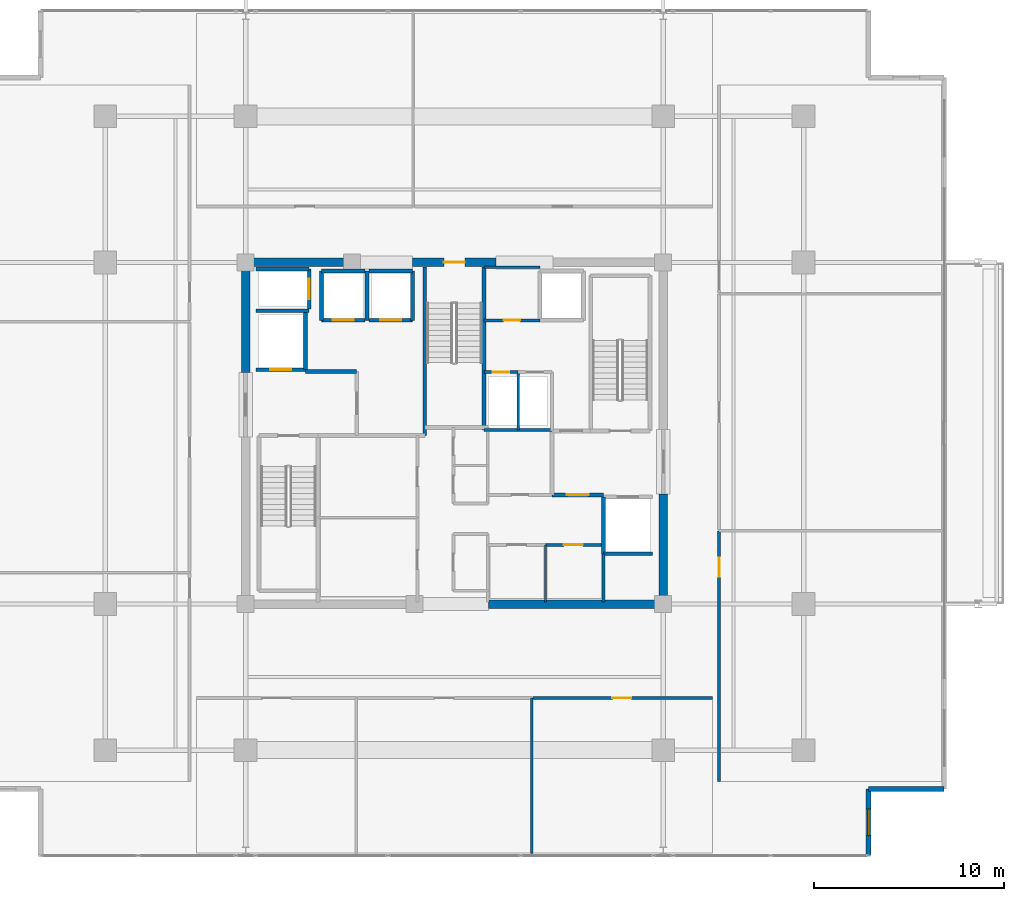
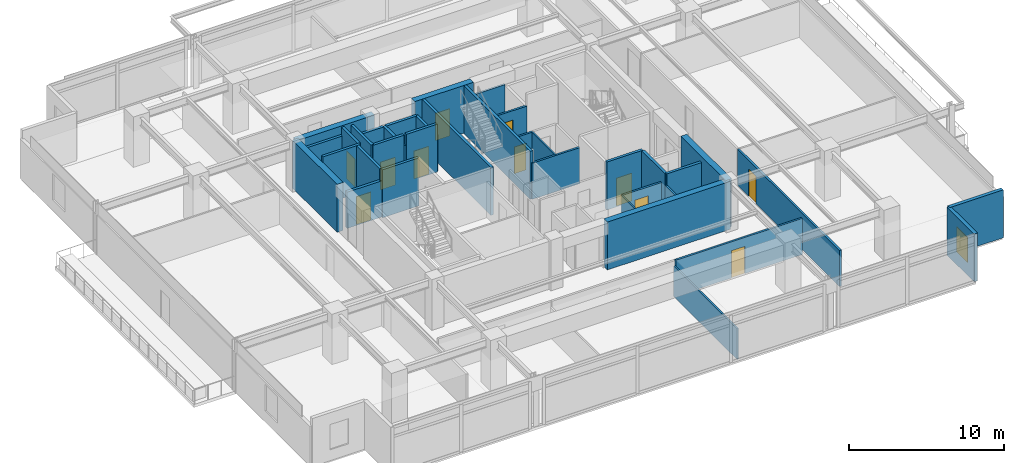
# One storey, part 14 of 20: 36 walls, 11 doors, 1 window, 12 openings.
"""IFC4 building model written with IfcOpenShell, lengths in metres."""

import ifcopenshell
import ifcopenshell.guid

model = None  # the IFC model being written
_history = None  # IfcOwnerHistory: only IFC2X3 demands one
_inside = {}  # id of a spatial element -> (the spatial element, [elements in it])
_under = {}  # id of a project, library or spatial element -> (it, [spatial elements below it])
_declared = {}  # id of a project -> (the project, [libraries it declares])
_typed = {}  # id of a type object -> (the type object, [elements of that type])
_made_of = {}  # id of a material, layer set ... -> (it, [elements and type objects made of it])


def new_model(schema):
    """Start an empty IFC model of exactly this schema.

    Asked for "IFC4X3", IfcOpenShell would pick the latest addendum, in which some entities
    have other attributes; the version numbers below select the first issue.
    IFC2X3 requires an IfcOwnerHistory on every rooted entity: one is made here for all.
    """
    global model, _history
    if schema == "IFC4X3":
        model = ifcopenshell.file(schema_version=(4, 3, 0, 0))
    else:
        model = ifcopenshell.file(schema=schema)
    _inside.clear()
    _under.clear()
    _declared.clear()
    _typed.clear()
    _made_of.clear()
    _history = None
    if model.schema == "IFC2X3":
        org = make("IfcOrganization", Name="unknown")
        user = make(
            "IfcPersonAndOrganization",
            ThePerson=make("IfcPerson", FamilyName="unknown"),
            TheOrganization=org,
        )
        app = make(
            "IfcApplication",
            ApplicationDeveloper=org,
            Version="unknown",
            ApplicationFullName="unknown",
            ApplicationIdentifier="unknown",
        )
        _history = make(
            "IfcOwnerHistory",
            OwningUser=user,
            OwningApplication=app,
            ChangeAction="ADDED",
            CreationDate=0,
        )
    return model


def make(cls, **values):
    """One entity of the class cls with the attributes given. An attribute that is None is left unset."""
    return model.create_entity(
        cls, **{name: value for name, value in values.items() if value is not None}
    )


def rooted(cls, **values):
    """An entity with a GlobalId (a new one), such as an element, a storey or a relation."""
    return make(cls, GlobalId=ifcopenshell.guid.new(), OwnerHistory=_history, **values)


def si_unit(unit_type, name, prefix=None):
    """IfcSIUnit, for example si_unit("LENGTHUNIT", "METRE", prefix="MILLI")."""
    return make("IfcSIUnit", UnitType=unit_type, Prefix=prefix, Name=name)


def assignment(units):
    """IfcUnitAssignment: the units of a project."""
    return None if units is None else make("IfcUnitAssignment", Units=units)


def point(xyz):
    """IfcCartesianPoint."""
    return None if xyz is None else make("IfcCartesianPoint", Coordinates=xyz)


def direction(xyz):
    """IfcDirection."""
    return None if xyz is None else make("IfcDirection", DirectionRatios=xyz)


def frame(location, z_axis=None, x_axis=None):
    """IfcAxis2Placement3D, a coordinate frame: its origin and axes. An axis left out is left unset."""
    return make(
        "IfcAxis2Placement3D",
        Location=point(location),
        Axis=direction(z_axis),
        RefDirection=direction(x_axis),
    )


def frame_2d(location, x_axis=None):
    """IfcAxis2Placement2D, a coordinate frame in the plane: its origin and x axis."""
    return make(
        "IfcAxis2Placement2D", Location=point(location), RefDirection=direction(x_axis)
    )


def origin():
    """The frame at (0, 0, 0) with its axes left unset."""
    return frame((0.0, 0.0, 0.0))


def place(relative_to, where):
    """IfcLocalPlacement: puts the frame where relative to a parent placement (None: the world)."""
    return make(
        "IfcLocalPlacement", PlacementRelTo=relative_to, RelativePlacement=where
    )


def context(
    kind, dimensions, precision=None, world=None, true_north=None, identifier=None
):
    """IfcGeometricRepresentationContext, for example the 3D "Model" context."""
    return make(
        "IfcGeometricRepresentationContext",
        ContextIdentifier=identifier,
        ContextType=kind,
        CoordinateSpaceDimension=dimensions,
        Precision=precision,
        WorldCoordinateSystem=world,
        TrueNorth=true_north,
    )


def subcontext(parent, identifier, kind, view, scale=None):
    """IfcGeometricRepresentationSubContext, for example "Body" below "Model"."""
    return make(
        "IfcGeometricRepresentationSubContext",
        ContextIdentifier=identifier,
        ContextType=kind,
        ParentContext=parent,
        TargetScale=scale,
        TargetView=view,
    )


def project(units=None, contexts=None):
    """IfcProject with its units and contexts."""
    return rooted(
        "IfcProject",
        Name="project",
        RepresentationContexts=contexts,
        UnitsInContext=assignment(units),
    )


def spatial(cls, under=None, at=None, **own):
    """A site, building, storey or space (cls), placed at a placement, below another one or the project."""
    s = rooted(cls, ObjectPlacement=at, **own)
    if under is not None:
        _under.setdefault(under.id(), (under, []))[1].append(s)
    return s


def profile(cls, at=None, kind="AREA", **sizes):
    """A parametric profile (cls). Its sizes go by their IFC names, for example OverallWidth=200.0."""
    return make(cls, ProfileType=kind, Position=at, **sizes)


def rectangle(**sizes):
    """IfcRectangleProfileDef."""
    return profile("IfcRectangleProfileDef", **sizes)


def extrude(swept, where, along, depth):
    """IfcExtrudedAreaSolid: the profile swept, set in the frame where, extruded along a direction by depth."""
    return make(
        "IfcExtrudedAreaSolid",
        SweptArea=swept,
        Position=where,
        ExtrudedDirection=direction(along),
        Depth=depth,
    )


def shape(context_of_items, identifier, shape_type, items):
    """IfcShapeRepresentation: the items that make up one representation, for example the "Body"."""
    return make(
        "IfcShapeRepresentation",
        ContextOfItems=context_of_items,
        RepresentationIdentifier=identifier,
        RepresentationType=shape_type,
        Items=items,
    )


def material(Name=None, Category=None):
    """IfcMaterial."""
    return make("IfcMaterial", Name=Name, Category=Category)


def layer(
    of_material, thickness, ventilated=None, Name=None, Category=None, Priority=None
):
    """IfcMaterialLayer: one layer of a wall or slab, of a material (None: an air gap)."""
    return make(
        "IfcMaterialLayer",
        Material=of_material,
        LayerThickness=thickness,
        IsVentilated=ventilated,
        Name=Name,
        Category=Category,
        Priority=Priority,
    )


def layer_set(layers, Name=None):
    """IfcMaterialLayerSet."""
    return make("IfcMaterialLayerSet", MaterialLayers=layers, LayerSetName=Name)


def made_of(thing, what):
    """Note that an element or type object is made of a material, layer set ...; save() writes the relation."""
    if what is not None:
        _made_of.setdefault(what.id(), (what, []))[1].append(thing)
    return thing


def type_object(cls, material=None, **own):
    """A type object (cls), such as IfcWallType, which elements share."""
    return made_of(rooted(cls, **own), material)


def element(
    cls,
    number,
    at=None,
    inside=None,
    cuts=None,
    type_object=None,
    material=None,
    context=None,
    identifier="Body",
    shape_type=None,
    held_by="IfcProductDefinitionShape",
    body=None,
    shapes=None,
    **own,
):
    """One element of the class cls, such as IfcWall. Its Tag is "e" and its number.

    at: its placement. inside: the storey or other place that contains it. cuts: it is an
    opening in that element (IfcRelVoidsElement). A single representation is given by context,
    identifier, shape_type and body (its items); several are given by shapes. held_by: the class
    of the entity that holds the representations. save() writes the other relations.
    """
    e = rooted(cls, Tag="e%d" % number, ObjectPlacement=at, **own)
    if body is not None:
        shapes = [shape(context, identifier, shape_type, body)]
    if shapes is not None:
        e.Representation = make(held_by, Representations=shapes)
    if inside is not None:
        _inside.setdefault(inside.id(), (inside, []))[1].append(e)
    if cuts is not None:
        rooted(
            "IfcRelVoidsElement", RelatingBuildingElement=cuts, RelatedOpeningElement=e
        )
    if type_object is not None:
        _typed.setdefault(type_object.id(), (type_object, []))[1].append(e)
    return made_of(e, material)


def fill(opening, filler):
    """IfcRelFillsElement: the door or window that sits in an opening."""
    return rooted(
        "IfcRelFillsElement",
        RelatingOpeningElement=opening,
        RelatedBuildingElement=filler,
    )


def aggregate(whole, parts):
    """IfcRelAggregates: a whole, such as a stair, and the parts it consists of."""
    return rooted("IfcRelAggregates", RelatingObject=whole, RelatedObjects=parts)


def save(model, path):
    """Write the relations noted so far, then the file.

    IfcRelAggregates (storeys below a building ...), IfcRelContainedInSpatialStructure (elements
    in a storey), IfcRelDefinesByType, IfcRelAssociatesMaterial and IfcRelDeclares: one each for
    every whole, place, type object, material and project.
    """
    for whole, parts in _under.values():
        aggregate(whole, parts)
    for where, things in _inside.values():
        rooted(
            "IfcRelContainedInSpatialStructure",
            RelatedElements=things,
            RelatingStructure=where,
        )
    for kind, things in _typed.values():
        rooted("IfcRelDefinesByType", RelatedObjects=things, RelatingType=kind)
    for what, things in _made_of.values():
        rooted("IfcRelAssociatesMaterial", RelatedObjects=things, RelatingMaterial=what)
    for by, libraries in _declared.values():
        rooted("IfcRelDeclares", RelatingContext=by, RelatedDefinitions=libraries)
    model.write(path)


model = new_model("IFC4")

# Units and contexts
model_context = context("Model", 3, precision=1e-05, world=origin(), true_north=direction((0.0, 1.0)))
body_context = subcontext(model_context, "Body", "Model", "MODEL_VIEW")
ifc_project = project(units=[si_unit("LENGTHUNIT", "METRE"), si_unit("AREAUNIT", "SQUARE_METRE"), si_unit("VOLUMEUNIT", "CUBIC_METRE"), si_unit("PLANEANGLEUNIT", "RADIAN"), si_unit("MASSUNIT", "GRAM", prefix="KILO")], contexts=[model_context])

# Site, building, storey
site_placement = place(None, origin())
site = spatial("IfcSite", under=ifc_project, at=site_placement, CompositionType="ELEMENT")
building_placement = place(site_placement, origin())
building = spatial("IfcBuilding", under=site, at=building_placement, Name="Kovane Verandah Tower", CompositionType="ELEMENT")
storey_placement = place(building_placement, frame((0.0, 0.0, 279.199951171875)))
storey = spatial("IfcBuildingStorey", under=building, at=storey_placement, Name="L65", CompositionType="ELEMENT", Elevation=279.199951171875)

# Walls
ifc_material_1 = material(Name="Fire-Rated Gypsum Stud Partition", Category="gypsum")
ifc_layer_1 = layer(ifc_material_1, 0.14990234375)
ifc_layer_set_1 = layer_set([ifc_layer_1], Name="Fire-Rated Gypsum Stud Partition")
wall_type_1 = type_object("IfcWallType", Name="WL-COR-150", PredefinedType="PARTITIONING", material=ifc_layer_set_1)
wall_1_placement = place(storey_placement, frame((41.56005859375, 27.679931640625, 0.0), z_axis=(0.0, 0.0, 1.0), x_axis=(1.0, 0.0, 0.0)))
element("IfcWall", 1, at=wall_1_placement, inside=storey, type_object=wall_type_1, Name="L65 East Core Service Riser South Wall", PredefinedType="PARTITIONING", context=body_context, shape_type="SweptSolid", body=[
    extrude(rectangle(XDim=3.58984375, YDim=0.14990234375, at=frame_2d((1.794921875, 0.0))), origin(), (0.0, 0.0, 1.0), 2.85009765625),
])
wall_2_placement = place(storey_placement, frame((47.85009765625, 18.60009765625, 0.0), z_axis=(0.0, 0.0, 1.0), x_axis=(0.0, 1.0, 0.0)))
element("IfcWall", 2, at=wall_2_placement, inside=storey, type_object=wall_type_1, Name="L65 East Core Support East Wall", PredefinedType="PARTITIONING", context=body_context, shape_type="SweptSolid", body=[
    extrude(rectangle(XDim=2.539794921875, YDim=0.14990234375, at=frame_2d((1.27001953125, 0.0))), origin(), (0.0, 0.0, 1.0), 2.85009765625),
])

# Wall, opening, door
wall_3_placement = place(storey_placement, frame((44.800048828125, 21.6201171875, 0.0), z_axis=(0.0, 0.0, 1.0), x_axis=(1.0, 0.0, 0.0)))
wall_3 = element("IfcWall", 3, at=wall_3_placement, inside=storey, type_object=wall_type_1, Name="L65 East IT Server Room Partition", PredefinedType="PARTITIONING", context=body_context, shape_type="SweptSolid", body=[
    extrude(rectangle(XDim=2.93994140625, YDim=0.14990234375, at=frame_2d((1.469970703125, 0.0))), origin(), (0.0, 0.0, 1.0), 2.85009765625),
])
opening_1_placement = place(wall_3_placement, frame((0.969970703125, 0.0, 0.0)))
opening_1 = element("IfcOpeningElement", 4, at=opening_1_placement, cuts=wall_3, Name="Opening DR-L65-017", PredefinedType="OPENING", context=body_context, shape_type="SweptSolid", body=[
    extrude(rectangle(XDim=1.0, YDim=2.14990234375, at=frame_2d((0.5, 1.074951171875))), frame((0.0, 0.074951171875, 0.0), z_axis=(0.0, -1.0, 0.0), x_axis=(1.0, 0.0, 0.0)), (0.0, 0.0, 1.0), 0.14990234375),
])
ifc_material_2 = material(Name="FSC Spotted-Gum Timber Fire-Rated Office Door", Category="wood")
door_type_1 = type_object("IfcDoorType", Name="DR-OFF-1000", OperationType="SINGLE_SWING_LEFT", PredefinedType="DOOR", material=ifc_material_2)
door_1_placement = place(opening_1_placement, origin())
door_1 = element("IfcDoor", 5, at=door_1_placement, inside=storey, type_object=door_type_1, Name="L65 East IT Server Room Door", OperationType="SINGLE_SWING_RIGHT", OverallHeight=2.14990234375, OverallWidth=1.0, PredefinedType="DOOR", context=body_context, shape_type="SweptSolid", body=[
    extrude(rectangle(XDim=1.0, YDim=2.14990234375, at=frame_2d((0.5, 1.074951171875))), frame((0.0, 0.02490234375, 0.0), z_axis=(0.0, -1.0, 0.0), x_axis=(1.0, 0.0, 0.0)), (0.0, 0.0, 1.0), 0.050048828125),
])
fill(opening_1, door_1)

wall_4_placement = place(storey_placement, frame((41.56005859375, 30.719970703125, 0.0), z_axis=(0.0, 0.0, 1.0), x_axis=(1.0, 0.0, 0.0)))
wall_4 = element("IfcWall", 6, at=wall_4_placement, inside=storey, type_object=wall_type_1, Name="L65 Chilled Water Riser Room Partition", PredefinedType="PARTITIONING", context=body_context, shape_type="SweptSolid", body=[
    extrude(rectangle(XDim=1.800048828125, YDim=0.14990234375, at=frame_2d((0.89990234375, 0.0))), origin(), (0.0, 0.0, 1.0), 2.85009765625),
])
opening_2_placement = place(wall_4_placement, frame((0.4599609375, 0.0, 0.0)))
opening_2 = element("IfcOpeningElement", 7, at=opening_2_placement, cuts=wall_4, Name="Opening DR-L65-020", PredefinedType="OPENING", context=body_context, shape_type="SweptSolid", body=[
    extrude(rectangle(XDim=0.8798828125, YDim=2.10009765625, at=frame_2d((0.43994140625, 1.050048828125))), frame((0.0, 0.074951171875, 0.0), z_axis=(0.0, -1.0, 0.0), x_axis=(1.0, 0.0, 0.0)), (0.0, 0.0, 1.0), 0.14990234375),
])
ifc_material_3 = material(Name="Fire-Rated Steel Riser Access Door", Category="steel")
door_type_2 = type_object("IfcDoorType", Name="DR-RISER-880", OperationType="SINGLE_SWING_LEFT", PredefinedType="DOOR", material=ifc_material_3)
door_2_placement = place(opening_2_placement, origin())
door_2 = element("IfcDoor", 8, at=door_2_placement, inside=storey, type_object=door_type_2, Name="L65 Chilled Water Riser Room Door", OperationType="SINGLE_SWING_RIGHT", OverallHeight=2.10009765625, OverallWidth=0.8798828125, PredefinedType="DOOR", context=body_context, shape_type="SweptSolid", body=[
    extrude(rectangle(XDim=0.8798828125, YDim=2.10009765625, at=frame_2d((0.43994140625, 1.050048828125))), frame((0.0, 0.02490234375, 0.0), z_axis=(0.0, -1.0, 0.0), x_axis=(1.0, 0.0, 0.0)), (0.0, 0.0, 1.0), 0.050048828125),
])
fill(opening_2, door_2)

# Wall
wall_5_placement = place(storey_placement, frame((41.56005859375, 36.25, 0.0), z_axis=(0.0, 0.0, 1.0), x_axis=(1.0, 0.0, 0.0)))
element("IfcWall", 9, at=wall_5_placement, inside=storey, type_object=wall_type_1, Name="L65 Sky Telecom Riser North Wall", PredefinedType="PARTITIONING", context=body_context, shape_type="SweptSolid", body=[
    extrude(rectangle(XDim=2.93994140625, YDim=0.14990234375, at=frame_2d((1.469970703125, 0.0))), origin(), (0.0, 0.0, 1.0), 2.85009765625),
])

# Wall, opening, door
wall_6_placement = place(storey_placement, frame((41.56005859375, 33.449951171875, 0.0), z_axis=(0.0, 0.0, 1.0), x_axis=(1.0, 0.0, 0.0)))
wall_6 = element("IfcWall", 10, at=wall_6_placement, inside=storey, type_object=wall_type_1, Name="L65 Sky Telecom Riser Room Partition", PredefinedType="PARTITIONING", context=body_context, shape_type="SweptSolid", body=[
    extrude(rectangle(XDim=2.93994140625, YDim=0.14990234375, at=frame_2d((1.469970703125, 0.0))), origin(), (0.0, 0.0, 1.0), 2.85009765625),
])
opening_3_placement = place(wall_6_placement, frame((1.030029296875, 0.0, 0.0)))
opening_3 = element("IfcOpeningElement", 11, at=opening_3_placement, cuts=wall_6, Name="Opening DR-L65-019", PredefinedType="OPENING", context=body_context, shape_type="SweptSolid", body=[
    extrude(rectangle(XDim=0.8798828125, YDim=2.10009765625, at=frame_2d((0.43994140625, 1.050048828125))), frame((0.0, 0.074951171875, 0.0), z_axis=(0.0, -1.0, 0.0), x_axis=(1.0, 0.0, 0.0)), (0.0, 0.0, 1.0), 0.14990234375),
])
door_3_placement = place(opening_3_placement, origin())
door_3 = element("IfcDoor", 12, at=door_3_placement, inside=storey, type_object=door_type_2, Name="L65 Sky Telecom Riser Room Door", OperationType="SINGLE_SWING_RIGHT", OverallHeight=2.10009765625, OverallWidth=0.8798828125, PredefinedType="DOOR", context=body_context, shape_type="SweptSolid", body=[
    extrude(rectangle(XDim=0.8798828125, YDim=2.10009765625, at=frame_2d((0.43994140625, 1.050048828125))), frame((0.0, 0.02490234375, 0.0), z_axis=(0.0, -1.0, 0.0), x_axis=(1.0, 0.0, 0.0)), (0.0, 0.0, 1.0), 0.050048828125),
])
fill(opening_3, door_3)

wall_7_placement = place(storey_placement, frame((44.14990234375, 13.550048828125, 0.0), z_axis=(0.0, 0.0, 1.0), x_axis=(1.0, 0.0, 0.0)))
wall_7 = element("IfcWall", 13, at=wall_7_placement, inside=storey, type_object=wall_type_1, Name="L65 Focus Studio S3 Corridor Partition", PredefinedType="PARTITIONING", context=body_context, shape_type="SweptSolid", body=[
    extrude(rectangle(XDim=9.4501953125, YDim=0.14990234375, at=frame_2d((4.72509765625, 0.0))), origin(), (0.0, 0.0, 1.0), 2.85009765625),
])
opening_4_placement = place(wall_7_placement, frame((4.175048828125, 0.0, 0.0)))
opening_4 = element("IfcOpeningElement", 14, at=opening_4_placement, cuts=wall_7, Name="Opening DR-L65-026", PredefinedType="OPENING", context=body_context, shape_type="SweptSolid", body=[
    extrude(rectangle(XDim=1.0, YDim=2.14990234375, at=frame_2d((0.5, 1.074951171875))), frame((0.0, 0.074951171875, 0.0), z_axis=(0.0, -1.0, 0.0), x_axis=(1.0, 0.0, 0.0)), (0.0, 0.0, 1.0), 0.14990234375),
])
door_4_placement = place(opening_4_placement, origin())
door_4 = element("IfcDoor", 15, at=door_4_placement, inside=storey, type_object=door_type_1, Name="L65 Focus Studio S3 Entrance Door", OperationType="SINGLE_SWING_LEFT", OverallHeight=2.14990234375, OverallWidth=1.0, PredefinedType="DOOR", context=body_context, shape_type="SweptSolid", body=[
    extrude(rectangle(XDim=1.0, YDim=2.14990234375, at=frame_2d((0.5, 1.074951171875))), frame((0.0, 0.02490234375, 0.0), z_axis=(0.0, -1.0, 0.0), x_axis=(1.0, 0.0, 0.0)), (0.0, 0.0, 1.0), 0.050048828125),
])
fill(opening_4, door_4)

wall_8_placement = place(storey_placement, frame((53.949951171875, 9.143798828125, 0.0), z_axis=(0.0, 0.0, 1.0), x_axis=(0.0, 1.0, 0.0)))
wall_8 = element("IfcWall", 16, at=wall_8_placement, inside=storey, type_object=wall_type_1, Name="L65 Open Plan Office E1 Corridor Partition", PredefinedType="PARTITIONING", context=body_context, shape_type="SweptSolid", body=[
    extrude(rectangle(XDim=13.21630859375, YDim=0.14990234375, at=frame_2d((6.608154296875, 0.0))), origin(), (0.0, 0.0, 1.0), 2.85009765625),
])
opening_5_placement = place(wall_8_placement, frame((10.801513671875, 0.0, 0.0)))
opening_5 = element("IfcOpeningElement", 17, at=opening_5_placement, cuts=wall_8, Name="Opening DR-L65-011", PredefinedType="OPENING", context=body_context, shape_type="SweptSolid", body=[
    extrude(rectangle(XDim=1.0, YDim=2.14990234375, at=frame_2d((0.5, 1.074951171875))), frame((0.0, 0.074951171875, 0.0), z_axis=(0.0, -1.0, 0.0), x_axis=(1.0, 0.0, 0.0)), (0.0, 0.0, 1.0), 0.14990234375),
])
door_5_placement = place(opening_5_placement, origin())
door_5 = element("IfcDoor", 18, at=door_5_placement, inside=storey, type_object=door_type_1, Name="L65 Open Plan Office E1 Entrance Door", OperationType="SINGLE_SWING_LEFT", OverallHeight=2.14990234375, OverallWidth=1.0, PredefinedType="DOOR", context=body_context, shape_type="SweptSolid", body=[
    extrude(rectangle(XDim=1.0, YDim=2.14990234375, at=frame_2d((0.5, 1.074951171875))), frame((0.0, 0.02490234375, 0.0), z_axis=(0.0, -1.0, 0.0), x_axis=(1.0, 0.0, 0.0)), (0.0, 0.0, 1.0), 0.050048828125),
])
fill(opening_5, door_5)

# Walls
ifc_material_4 = material(Name="Concrete C60/75", Category="concrete")
ifc_layer_2 = layer(ifc_material_4, 0.449951171875)
ifc_layer_set_2 = layer_set([ifc_layer_2], Name="Concrete C60/75")
wall_type_2 = type_object("IfcWallType", Name="WL-CORE-450", PredefinedType="SHEAR", material=ifc_layer_set_2)
wall_9_placement = place(storey_placement, frame((41.800048828125, 18.5, 0.0), z_axis=(0.0, 0.0, 1.0), x_axis=(1.0, 0.0, 0.0)))
element("IfcWall", 19, at=wall_9_placement, inside=storey, type_object=wall_type_2, Name="L65 Core Shear Wall CS-2", PredefinedType="SHEAR", context=body_context, shape_type="SweptSolid", body=[
    extrude(rectangle(XDim=9.199951171875, YDim=0.449951171875, at=frame_2d((4.60009765625, 0.0))), origin(), (0.0, 0.0, 1.0), 3.78515625),
])
wall_10_placement = place(storey_placement, frame((29.0, 36.5, 0.0), z_axis=(0.0, 0.0, 1.0), x_axis=(1.0, 0.0, 0.0)))
element("IfcWall", 20, at=wall_10_placement, inside=storey, type_object=wall_type_2, Name="L65 Core Shear Wall CN-1", PredefinedType="SHEAR", context=body_context, shape_type="SweptSolid", body=[
    extrude(rectangle(XDim=5.800048828125, YDim=0.449951171875, at=frame_2d((2.89990234375, 0.0))), origin(), (0.0, 0.0, 1.0), 3.78515625),
])

# Wall, opening, door
wall_11_placement = place(storey_placement, frame((37.800048828125, 36.5, 0.0), z_axis=(0.0, 0.0, 1.0), x_axis=(1.0, 0.0, 0.0)))
wall_11 = element("IfcWall", 21, at=wall_11_placement, inside=storey, type_object=wall_type_2, Name="L65 Core Shear Wall CN-2", PredefinedType="SHEAR", context=body_context, shape_type="SweptSolid", body=[
    extrude(rectangle(XDim=4.39990234375, YDim=0.449951171875, at=frame_2d((2.199951171875, 0.0))), origin(), (0.0, 0.0, 1.0), 3.78515625),
])
opening_6_placement = place(wall_11_placement, frame((1.64990234375, 0.0, 0.0)))
opening_6 = element("IfcOpeningElement", 22, at=opening_6_placement, cuts=wall_11, Name="Opening DR-L65-010", PredefinedType="OPENING", context=body_context, shape_type="SweptSolid", body=[
    extrude(rectangle(XDim=1.10009765625, YDim=2.14990234375, at=frame_2d((0.550048828125, 1.074951171875))), frame((0.0, 0.22509765625, 0.0), z_axis=(0.0, -1.0, 0.0), x_axis=(1.0, 0.0, 0.0)), (0.0, 0.0, 1.0), 0.449951171875),
])
ifc_material_5 = material(Name="Fire-Rated Steel Exit Door", Category="steel")
door_type_3 = type_object("IfcDoorType", Name="DR-STAIR-1100", OperationType="SINGLE_SWING_LEFT", PredefinedType="DOOR", material=ifc_material_5)
door_6_placement = place(opening_6_placement, origin())
door_6 = element("IfcDoor", 23, at=door_6_placement, inside=storey, type_object=door_type_3, Name="L65 ST-03 Fire Exit Stair Door", OperationType="SINGLE_SWING_LEFT", OverallHeight=2.14990234375, OverallWidth=1.10009765625, PredefinedType="DOOR", context=body_context, shape_type="SweptSolid", body=[
    extrude(rectangle(XDim=1.10009765625, YDim=2.14990234375, at=frame_2d((0.550048828125, 1.074951171875))), frame((0.0, 0.02490234375, 0.0), z_axis=(0.0, -1.0, 0.0), x_axis=(1.0, 0.0, 0.0)), (0.0, 0.0, 1.0), 0.050048828125),
])
fill(opening_6, door_6)

# Walls
for number, where, z_axis, x_axis, name in (
    (24, (29.0, 30.699951171875, 0.0), (0.0, 0.0, 1.0), (0.0, 1.0, 0.0), "L65 Core Shear Wall CW-2"),
    (25, (51.0, 18.5, 0.0), (0.0, 0.0, 1.0), (0.0, 1.0, 0.0), "L65 Core Shear Wall CE-1"),
):
    element("IfcWall", number, at=place(storey_placement, frame(where, z_axis=z_axis, x_axis=x_axis)), inside=storey, type_object=wall_type_2, Name=name, PredefinedType="SHEAR", context=body_context, shape_type="SweptSolid", body=[
        extrude(rectangle(XDim=5.800048828125, YDim=0.449951171875, at=frame_2d((2.89990234375, 0.0))), origin(), (0.0, 0.0, 1.0), 3.78515625),
    ])
ifc_material_6 = material(Name="Concrete C45/55 Fire Wall", Category="concrete")
ifc_layer_3 = layer(ifc_material_6, 0.199951171875)
ifc_layer_set_3 = layer_set([ifc_layer_3], Name="Concrete C45/55 Fire Wall")
wall_type_3 = type_object("IfcWallType", Name="WL-FFL-200", PredefinedType="PARTITIONING", material=ifc_layer_set_3)
wall_12_placement = place(storey_placement, frame((32.14990234375, 30.75, 0.0), z_axis=(0.0, 0.0, 1.0), x_axis=(1.0, 0.0, 0.0)))
element("IfcWall", 26, at=wall_12_placement, inside=storey, type_object=wall_type_3, Name="L65 West Firefighting Lobby North Fire Wall", PredefinedType="PARTITIONING", context=body_context, shape_type="SweptSolid", body=[
    extrude(rectangle(XDim=2.7001953125, YDim=0.199951171875, at=frame_2d((1.35009765625, 0.0))), origin(), (0.0, 0.0, 1.0), 3.78515625),
])

# Wall, opening, door
wall_13_placement = place(storey_placement, frame((45.14990234375, 24.25, 0.0), z_axis=(0.0, 0.0, 1.0), x_axis=(1.0, 0.0, 0.0)))
wall_13 = element("IfcWall", 27, at=wall_13_placement, inside=storey, type_object=wall_type_3, Name="W-L65-FFLE-S", PredefinedType="PARTITIONING", context=body_context, shape_type="SweptSolid", body=[
    extrude(rectangle(XDim=2.7001953125, YDim=0.199951171875, at=frame_2d((1.35009765625, 0.0))), origin(), (0.0, 0.0, 1.0), 3.78515625),
])
opening_7_placement = place(wall_13_placement, frame((0.77490234375, 0.0, 0.0)))
opening_7 = element("IfcOpeningElement", 28, at=opening_7_placement, cuts=wall_13, Name="Opening DR-L65-003", PredefinedType="OPENING", context=body_context, shape_type="SweptSolid", body=[
    extrude(rectangle(XDim=1.14990234375, YDim=2.199951171875, at=frame_2d((0.574951171875, 1.10009765625))), frame((0.0, 0.10009765625, 0.0), z_axis=(0.0, -1.0, 0.0), x_axis=(1.0, 0.0, 0.0)), (0.0, 0.0, 1.0), 0.199951171875),
])
ifc_material_7 = material(Name="Smoke-Sealed Firefighting Lobby Door", Category="steel")
door_type_4 = type_object("IfcDoorType", Name="DR-FFL-1150", OperationType="SINGLE_SWING_LEFT", PredefinedType="DOOR", material=ifc_material_7)
door_7_placement = place(opening_7_placement, origin())
door_7 = element("IfcDoor", 29, at=door_7_placement, inside=storey, type_object=door_type_4, Name="L65 East Firefighting Lobby Inner Door", OperationType="SINGLE_SWING_RIGHT", OverallHeight=2.199951171875, OverallWidth=1.14990234375, PredefinedType="DOOR", context=body_context, shape_type="SweptSolid", body=[
    extrude(rectangle(XDim=1.14990234375, YDim=2.199951171875, at=frame_2d((0.574951171875, 1.10009765625))), frame((0.0, 0.02490234375, 0.0), z_axis=(0.0, -1.0, 0.0), x_axis=(1.0, 0.0, 0.0)), (0.0, 0.0, 1.0), 0.050048828125),
])
fill(opening_7, door_7)

ifc_material_8 = material(Name="Concrete C45/55 Lift Shaft Wall", Category="concrete")
ifc_layer_4 = layer(ifc_material_8, 0.199951171875)
ifc_layer_set_4 = layer_set([ifc_layer_4], Name="Concrete C45/55 Lift Shaft Wall")
wall_type_4 = type_object("IfcWallType", Name="WL-LIFT-200", PredefinedType="SOLIDWALL", material=ifc_layer_set_4)
wall_14_placement = place(storey_placement, frame((29.550048828125, 30.85009765625, 0.0), z_axis=(0.0, 0.0, 1.0), x_axis=(1.0, 0.0, 0.0)))
wall_14 = element("IfcWall", 30, at=wall_14_placement, inside=storey, type_object=wall_type_4, Name="L65 Lift FL-01 S Shaft Wall", PredefinedType="SOLIDWALL", context=body_context, shape_type="SweptSolid", body=[
    extrude(rectangle(XDim=2.599853515625, YDim=0.199951171875, at=frame_2d((1.2998046875, 0.0))), origin(), (0.0, 0.0, 1.0), 2.864990234375),
])
opening_8_placement = place(wall_14_placement, frame((0.75, 0.0, 0.0)))
opening_8 = element("IfcOpeningElement", 31, at=opening_8_placement, cuts=wall_14, Name="Opening LD-L65-001", PredefinedType="OPENING", context=body_context, shape_type="SweptSolid", body=[
    extrude(rectangle(XDim=1.10009765625, YDim=2.199951171875, at=frame_2d((0.550048828125, 1.10009765625))), frame((0.0, 0.10009765625, 0.0), z_axis=(0.0, -1.0, 0.0), x_axis=(1.0, 0.0, 0.0)), (0.0, 0.0, 1.0), 0.199951171875),
])
ifc_material_9 = material(Name="Brushed Stainless Steel Sliding Lift Landing Door", Category="steel")
door_type_5 = type_object("IfcDoorType", Name="DR-LIFT-1100", OperationType="SLIDING_TO_RIGHT", PredefinedType="DOOR", material=ifc_material_9)
door_8_placement = place(opening_8_placement, origin())
door_8 = element("IfcDoor", 32, at=door_8_placement, inside=storey, type_object=door_type_5, Name="L65 Lift FL-01 Sliding Landing Door", OperationType="SLIDING_TO_RIGHT", OverallHeight=2.199951171875, OverallWidth=1.10009765625, PredefinedType="DOOR", context=body_context, shape_type="SweptSolid", body=[
    extrude(rectangle(XDim=1.10009765625, YDim=2.199951171875, at=frame_2d((0.550048828125, 1.10009765625))), frame((0.0, 0.02490234375, 0.0), z_axis=(0.0, -1.0, 0.0), x_axis=(1.0, 0.0, 0.0)), (0.0, 0.0, 1.0), 0.050048828125),
])
fill(opening_8, door_8)

# Walls
wall_15_placement = place(storey_placement, frame((29.550048828125, 33.949951171875, 0.0), z_axis=(0.0, 0.0, 1.0), x_axis=(1.0, 0.0, 0.0)))
element("IfcWall", 33, at=wall_15_placement, inside=storey, type_object=wall_type_4, Name="L65 Lift FL-01 and GL-01 Shared Shaft Wall", PredefinedType="SOLIDWALL", context=body_context, shape_type="SweptSolid", body=[
    extrude(rectangle(XDim=2.800048828125, YDim=0.199951171875, at=frame_2d((1.39990234375, 0.0))), origin(), (0.0, 0.0, 1.0), 3.78515625),
])
wall_16_placement = place(storey_placement, frame((32.14990234375, 30.85009765625, 0.0), z_axis=(0.0, 0.0, 1.0), x_axis=(0.0, 1.0, 0.0)))
element("IfcWall", 34, at=wall_16_placement, inside=storey, type_object=wall_type_4, Name="L65 Lift FL-01 E Shaft Wall", PredefinedType="SOLIDWALL", context=body_context, shape_type="SweptSolid", body=[
    extrude(rectangle(XDim=3.0, YDim=0.199951171875, at=frame_2d((1.5, 0.0))), origin(), (0.0, 0.0, 1.0), 3.78515625),
])
wall_17_placement = place(storey_placement, frame((47.85009765625, 21.14990234375, 0.0), z_axis=(0.0, 0.0, 1.0), x_axis=(1.0, 0.0, 0.0)))
element("IfcWall", 35, at=wall_17_placement, inside=storey, type_object=wall_type_4, Name="L65 Lift FL-02 S Shaft Wall", PredefinedType="SOLIDWALL", context=body_context, shape_type="SweptSolid", body=[
    extrude(rectangle(XDim=2.599853515625, YDim=0.199951171875, at=frame_2d((1.2998046875, 0.0))), origin(), (0.0, 0.0, 1.0), 3.78515625),
])
wall_18_placement = place(storey_placement, frame((47.85009765625, 24.14990234375, 0.0), z_axis=(0.0, 0.0, 1.0), x_axis=(0.0, -1.0, 0.0)))
element("IfcWall", 36, at=wall_18_placement, inside=storey, type_object=wall_type_4, Name="L65 Lift FL-02 W Shaft Wall", PredefinedType="SOLIDWALL", context=body_context, shape_type="SweptSolid", body=[
    extrude(rectangle(XDim=3.0, YDim=0.199951171875, at=frame_2d((1.5, 0.0))), origin(), (0.0, 0.0, 1.0), 3.78515625),
])
wall_19_placement = place(storey_placement, frame((32.35009765625, 36.14990234375, 0.0), z_axis=(0.0, 0.0, 1.0), x_axis=(-1.0, 0.0, 0.0)))
element("IfcWall", 37, at=wall_19_placement, inside=storey, type_object=wall_type_4, Name="L65 Lift GL-01 N Shaft Wall", PredefinedType="SOLIDWALL", context=body_context, shape_type="SweptSolid", body=[
    extrude(rectangle(XDim=2.800048828125, YDim=0.199951171875, at=frame_2d((1.39990234375, 0.0))), origin(), (0.0, 0.0, 1.0), 3.14794921875),
])

# Wall, opening, door
wall_20_placement = place(storey_placement, frame((32.35009765625, 34.050048828125, 0.0), z_axis=(0.0, 0.0, 1.0), x_axis=(0.0, 1.0, 0.0)))
wall_20 = element("IfcWall", 38, at=wall_20_placement, inside=storey, type_object=wall_type_4, Name="L65 Lift GL-01 E Shaft Wall", PredefinedType="SOLIDWALL", context=body_context, shape_type="SweptSolid", body=[
    extrude(rectangle(XDim=2.099853515625, YDim=0.199951171875, at=frame_2d((1.0498046875, 0.0))), origin(), (0.0, 0.0, 1.0), 3.78515625),
])
opening_9_placement = place(wall_20_placement, frame((0.5, 0.0, 0.0)))
opening_9 = element("IfcOpeningElement", 39, at=opening_9_placement, cuts=wall_20, Name="Opening LD-L65-003", PredefinedType="OPENING", context=body_context, shape_type="SweptSolid", body=[
    extrude(rectangle(XDim=1.10009765625, YDim=2.199951171875, at=frame_2d((0.550048828125, 1.10009765625))), frame((0.0, 0.10009765625, 0.0), z_axis=(0.0, -1.0, 0.0), x_axis=(1.0, 0.0, 0.0)), (0.0, 0.0, 1.0), 0.199951171875),
])
door_9_placement = place(opening_9_placement, origin())
door_9 = element("IfcDoor", 40, at=door_9_placement, inside=storey, type_object=door_type_5, Name="L65 Lift GL-01 Sliding Landing Door", OperationType="SLIDING_TO_RIGHT", OverallHeight=2.199951171875, OverallWidth=1.10009765625, PredefinedType="DOOR", context=body_context, shape_type="SweptSolid", body=[
    extrude(rectangle(XDim=1.10009765625, YDim=2.199951171875, at=frame_2d((0.550048828125, 1.10009765625))), frame((0.0, 0.02490234375, 0.0), z_axis=(0.0, -1.0, 0.0), x_axis=(1.0, 0.0, 0.0)), (0.0, 0.0, 1.0), 0.050048828125),
])
fill(opening_9, door_9)

wall_21_placement = place(storey_placement, frame((33.0, 33.449951171875, 0.0), z_axis=(0.0, 0.0, 1.0), x_axis=(1.0, 0.0, 0.0)))
wall_21 = element("IfcWall", 41, at=wall_21_placement, inside=storey, type_object=wall_type_4, Name="L65 Lift PL-H1 S Shaft Wall", PredefinedType="SOLIDWALL", context=body_context, shape_type="SweptSolid", body=[
    extrude(rectangle(XDim=2.300048828125, YDim=0.199951171875, at=frame_2d((1.14990234375, 0.0))), origin(), (0.0, 0.0, 1.0), 3.78515625),
])
opening_10_placement = place(wall_21_placement, frame((0.60009765625, 0.0, 0.0)))
opening_10 = element("IfcOpeningElement", 42, at=opening_10_placement, cuts=wall_21, Name="Opening LD-L65-004", PredefinedType="OPENING", context=body_context, shape_type="SweptSolid", body=[
    extrude(rectangle(XDim=1.10009765625, YDim=2.199951171875, at=frame_2d((0.550048828125, 1.10009765625))), frame((0.0, 0.10009765625, 0.0), z_axis=(0.0, -1.0, 0.0), x_axis=(1.0, 0.0, 0.0)), (0.0, 0.0, 1.0), 0.199951171875),
])
door_10_placement = place(opening_10_placement, origin())
door_10 = element("IfcDoor", 43, at=door_10_placement, inside=storey, type_object=door_type_5, Name="L65 Lift PL-H1 Sliding Landing Door", OperationType="SLIDING_TO_RIGHT", OverallHeight=2.199951171875, OverallWidth=1.10009765625, PredefinedType="DOOR", context=body_context, shape_type="SweptSolid", body=[
    extrude(rectangle(XDim=1.10009765625, YDim=2.199951171875, at=frame_2d((0.550048828125, 1.10009765625))), frame((0.0, 0.02490234375, 0.0), z_axis=(0.0, -1.0, 0.0), x_axis=(1.0, 0.0, 0.0)), (0.0, 0.0, 1.0), 0.050048828125),
])
fill(opening_10, door_10)

# Walls
wall_22_placement = place(storey_placement, frame((35.300048828125, 36.050048828125, 0.0), z_axis=(0.0, 0.0, 1.0), x_axis=(-1.0, 0.0, 0.0)))
element("IfcWall", 44, at=wall_22_placement, inside=storey, type_object=wall_type_4, Name="L65 Lift PL-H1 N Shaft Wall", PredefinedType="SOLIDWALL", context=body_context, shape_type="SweptSolid", body=[
    extrude(rectangle(XDim=2.300048828125, YDim=0.199951171875, at=frame_2d((1.14990234375, 0.0))), origin(), (0.0, 0.0, 1.0), 2.864990234375),
])
wall_23_placement = place(storey_placement, frame((33.0, 36.050048828125, 0.0), z_axis=(0.0, 0.0, 1.0), x_axis=(0.0, -1.0, 0.0)))
element("IfcWall", 45, at=wall_23_placement, inside=storey, type_object=wall_type_4, Name="L65 Lift PL-H1 W Shaft Wall", PredefinedType="SOLIDWALL", context=body_context, shape_type="SweptSolid", body=[
    extrude(rectangle(XDim=2.60009765625, YDim=0.199951171875, at=frame_2d((1.300048828125, 0.0))), origin(), (0.0, 0.0, 1.0), 3.78515625),
])
wall_24_placement = place(storey_placement, frame((35.39990234375, 33.449951171875, 0.0), z_axis=(0.0, 0.0, 1.0), x_axis=(0.0, 1.0, 0.0)))
element("IfcWall", 46, at=wall_24_placement, inside=storey, type_object=wall_type_4, Name="L65 Lift PL-H1 and PL-H2 Shared Shaft Wall", PredefinedType="SOLIDWALL", context=body_context, shape_type="SweptSolid", body=[
    extrude(rectangle(XDim=2.60009765625, YDim=0.199951171875, at=frame_2d((1.300048828125, 0.0))), origin(), (0.0, 0.0, 1.0), 2.864990234375),
])

# Wall, opening, door
wall_25_placement = place(storey_placement, frame((35.5, 33.449951171875, 0.0), z_axis=(0.0, 0.0, 1.0), x_axis=(1.0, 0.0, 0.0)))
wall_25 = element("IfcWall", 47, at=wall_25_placement, inside=storey, type_object=wall_type_4, Name="L65 Lift PL-H2 S Shaft Wall", PredefinedType="SOLIDWALL", context=body_context, shape_type="SweptSolid", body=[
    extrude(rectangle(XDim=2.300048828125, YDim=0.199951171875, at=frame_2d((1.14990234375, 0.0))), origin(), (0.0, 0.0, 1.0), 3.78515625),
])
opening_11_placement = place(wall_25_placement, frame((0.60009765625, 0.0, 0.0)))
opening_11 = element("IfcOpeningElement", 48, at=opening_11_placement, cuts=wall_25, Name="Opening LD-L65-005", PredefinedType="OPENING", context=body_context, shape_type="SweptSolid", body=[
    extrude(rectangle(XDim=1.10009765625, YDim=2.199951171875, at=frame_2d((0.550048828125, 1.10009765625))), frame((0.0, 0.10009765625, 0.0), z_axis=(0.0, -1.0, 0.0), x_axis=(1.0, 0.0, 0.0)), (0.0, 0.0, 1.0), 0.199951171875),
])
door_11_placement = place(opening_11_placement, origin())
door_11 = element("IfcDoor", 49, at=door_11_placement, inside=storey, type_object=door_type_5, Name="L65 Lift PL-H2 Sliding Landing Door", OperationType="SLIDING_TO_RIGHT", OverallHeight=2.199951171875, OverallWidth=1.10009765625, PredefinedType="DOOR", context=body_context, shape_type="SweptSolid", body=[
    extrude(rectangle(XDim=1.10009765625, YDim=2.199951171875, at=frame_2d((0.550048828125, 1.10009765625))), frame((0.0, 0.02490234375, 0.0), z_axis=(0.0, -1.0, 0.0), x_axis=(1.0, 0.0, 0.0)), (0.0, 0.0, 1.0), 0.050048828125),
])
fill(opening_11, door_11)

# Walls
wall_26_placement = place(storey_placement, frame((37.800048828125, 36.050048828125, 0.0), z_axis=(0.0, 0.0, 1.0), x_axis=(-1.0, 0.0, 0.0)))
element("IfcWall", 50, at=wall_26_placement, inside=storey, type_object=wall_type_4, Name="L65 Lift PL-H2 N Shaft Wall", PredefinedType="SOLIDWALL", context=body_context, shape_type="SweptSolid", body=[
    extrude(rectangle(XDim=2.300048828125, YDim=0.199951171875, at=frame_2d((1.14990234375, 0.0))), origin(), (0.0, 0.0, 1.0), 2.864990234375),
])
wall_27_placement = place(storey_placement, frame((37.800048828125, 33.449951171875, 0.0), z_axis=(0.0, 0.0, 1.0), x_axis=(0.0, 1.0, 0.0)))
element("IfcWall", 51, at=wall_27_placement, inside=storey, type_object=wall_type_4, Name="L65 Lift PL-H2 E Shaft Wall", PredefinedType="SOLIDWALL", context=body_context, shape_type="SweptSolid", body=[
    extrude(rectangle(XDim=2.60009765625, YDim=0.199951171875, at=frame_2d((1.300048828125, 0.0))), origin(), (0.0, 0.0, 1.0), 2.864990234375),
])
ifc_material_10 = material(Name="Acoustic Fire-Rated Gypsum Partition", Category="gypsum")
ifc_layer_5 = layer(ifc_material_10, 0.1201171875)
ifc_layer_set_5 = layer_set([ifc_layer_5], Name="Acoustic Fire-Rated Gypsum Partition")
wall_type_5 = type_object("IfcWallType", Name="WL-PART-120", PredefinedType="PARTITIONING", material=ifc_layer_set_5)
wall_28_placement = place(storey_placement, frame((44.800048828125, 18.60009765625, 0.0), z_axis=(0.0, 0.0, 1.0), x_axis=(0.0, 1.0, 0.0)))
element("IfcWall", 52, at=wall_28_placement, inside=storey, type_object=wall_type_5, Name="L65 East Core Support Dividing Partition", PredefinedType="PARTITIONING", context=body_context, shape_type="SweptSolid", body=[
    extrude(rectangle(XDim=3.02001953125, YDim=0.1201171875, at=frame_2d((1.510009765625, 0.0))), origin(), (0.0, 0.0, 1.0), 2.85009765625),
])
wall_29_placement = place(storey_placement, frame((43.360107421875, 27.679931640625, 0.0), z_axis=(0.0, 0.0, 1.0), x_axis=(0.0, 1.0, 0.0)))
element("IfcWall", 53, at=wall_29_placement, inside=storey, type_object=wall_type_5, Name="L65 Service Riser Dividing Partition", PredefinedType="PARTITIONING", context=body_context, shape_type="SweptSolid", body=[
    extrude(rectangle(XDim=3.0400390625, YDim=0.1201171875, at=frame_2d((1.52001953125, 0.0))), origin(), (0.0, 0.0, 1.0), 2.85009765625),
])
wall_30_placement = place(storey_placement, frame((44.080078125, 5.34375, 0.0), z_axis=(0.0, 0.0, 1.0), x_axis=(0.0, 1.0, 0.0)))
element("IfcWall", 54, at=wall_30_placement, inside=storey, type_object=wall_type_5, Name="L65 Meeting Room S2 Dividing Partition", PredefinedType="PARTITIONING", context=body_context, shape_type="SweptSolid", body=[
    extrude(rectangle(XDim=8.206298828125, YDim=0.1201171875, at=frame_2d((4.10302734375, 0.0))), origin(), (0.0, 0.0, 1.0), 2.4150390625),
])
ifc_material_11 = material(Name="Concrete C45/55", Category="concrete")
ifc_layer_6 = layer(ifc_material_11, 0.199951171875)
ifc_layer_set_6 = layer_set([ifc_layer_6], Name="Concrete C45/55")
wall_type_6 = type_object("IfcWallType", Name="WL-SHAFT-200", PredefinedType="SOLIDWALL", material=ifc_layer_set_6)
wall_31_placement = place(storey_placement, frame((38.43994140625, 27.3798828125, 0.0), z_axis=(0.0, 0.0, 1.0), x_axis=(0.0, 1.0, 0.0)))
element("IfcWall", 55, at=wall_31_placement, inside=storey, type_object=wall_type_6, Name="W-L65-ST03-W", PredefinedType="SOLIDWALL", context=body_context, shape_type="SweptSolid", body=[
    extrude(rectangle(XDim=8.8701171875, YDim=0.199951171875, at=frame_2d((4.43505859375, 0.0))), origin(), (0.0, 0.0, 1.0), 3.78515625),
])
wall_32_placement = place(storey_placement, frame((41.56005859375, 27.679931640625, 0.0), z_axis=(0.0, 0.0, 1.0), x_axis=(0.0, 1.0, 0.0)))
element("IfcWall", 56, at=wall_32_placement, inside=storey, type_object=wall_type_6, Name="W-L65-ST03-E", PredefinedType="SOLIDWALL", context=body_context, shape_type="SweptSolid", body=[
    extrude(rectangle(XDim=8.570068359375, YDim=0.199951171875, at=frame_2d((4.28515625, 0.0))), origin(), (0.0, 0.0, 1.0), 3.78515625),
])

# Wall, opening, window
ifc_material_12 = material(Name="Concrete C45/55 Insulated Spandrel Wall", Category="concrete")
ifc_layer_7 = layer(ifc_material_12, 0.260009765625)
ifc_layer_set_7 = layer_set([ifc_layer_7], Name="Concrete C45/55 Insulated Spandrel Wall")
wall_type_7 = type_object("IfcWallType", Name="WL-SPANDREL-260", PredefinedType="PARAPET", material=ifc_layer_set_7)
wall_33_placement = place(storey_placement, frame((61.809814453125, 5.24365234375, 0.0), z_axis=(0.0, 0.0, 1.0), x_axis=(0.0, 1.0, 0.0)))
wall_33 = element("IfcWall", 57, at=wall_33_placement, inside=storey, type_object=wall_type_7, Name="L65 SE Notch Cheek Wall 1", PredefinedType="PARAPET", context=body_context, shape_type="SweptSolid", body=[
    extrude(rectangle(XDim=3.5, YDim=0.260009765625, at=frame_2d((1.75, 0.0))), origin(), (0.0, 0.0, 1.0), 3.78515625),
])
opening_12_placement = place(wall_33_placement, frame((1.050048828125, 0.0, 0.85009765625)))
opening_12 = element("IfcOpeningElement", 58, at=opening_12_placement, cuts=wall_33, Name="Opening W-01", PredefinedType="OPENING", context=body_context, shape_type="SweptSolid", body=[
    extrude(rectangle(XDim=1.39990234375, YDim=2.0, at=frame_2d((0.699951171875, 1.0))), frame((0.0, 0.1298828125, 0.0), z_axis=(0.0, -1.0, 0.0), x_axis=(1.0, 0.0, 0.0)), (0.0, 0.0, 1.0), 0.260009765625),
])
ifc_material_13 = material(Name="Clear Low-E Laminated Double Glazing in Anodised Frame", Category="glass")
window_type = type_object("IfcWindowType", Name="WN-OPER-1400x2000", PartitioningType="SINGLE_PANEL", PredefinedType="WINDOW", material=ifc_material_13)
window_placement = place(opening_12_placement, origin())
window = element("IfcWindow", 59, at=window_placement, inside=storey, type_object=window_type, Name="L65 SE Re-Entrant Corner Operable Window", OverallHeight=2.0, OverallWidth=1.39990234375, PartitioningType="SINGLE_PANEL", PredefinedType="WINDOW", context=body_context, shape_type="SweptSolid", body=[
    extrude(rectangle(XDim=1.39990234375, YDim=2.0, at=frame_2d((0.699951171875, 1.0))), frame((0.0, 0.030029296875, 0.0), z_axis=(0.0, -1.0, 0.0), x_axis=(1.0, 0.0, 0.0)), (0.0, 0.0, 1.0), 0.06005859375),
])
fill(opening_12, window)

# Wall
wall_34_placement = place(storey_placement, frame((61.809814453125, 8.74365234375, 0.0), z_axis=(0.0, 0.0, 1.0), x_axis=(1.0, 0.0, 0.0)))
element("IfcWall", 60, at=wall_34_placement, inside=storey, type_object=wall_type_7, Name="L65 SE Notch Cheek Wall 2", PredefinedType="PARAPET", context=body_context, shape_type="SweptSolid", body=[
    extrude(rectangle(XDim=4.0, YDim=0.260009765625, at=frame_2d((2.0, 0.0))), origin(), (0.0, 0.0, 1.0), 3.78515625),
])

save(model, "model.ifc")
